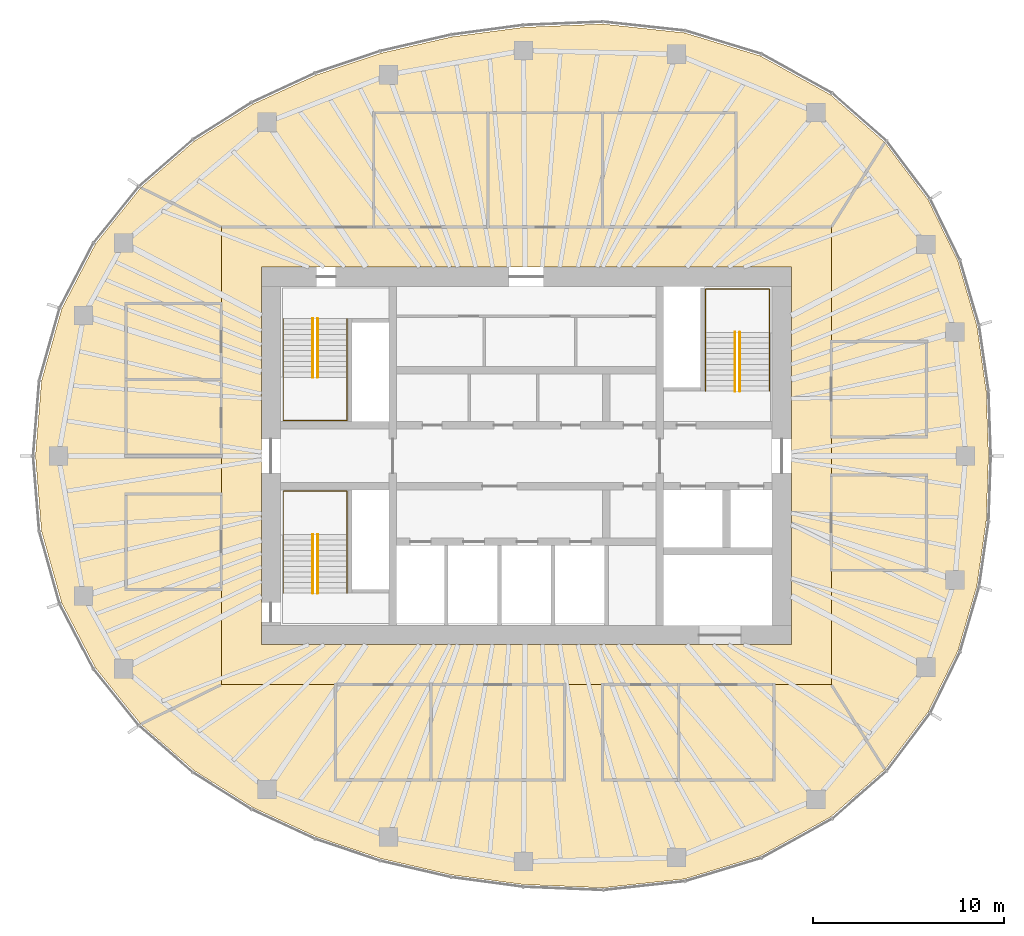
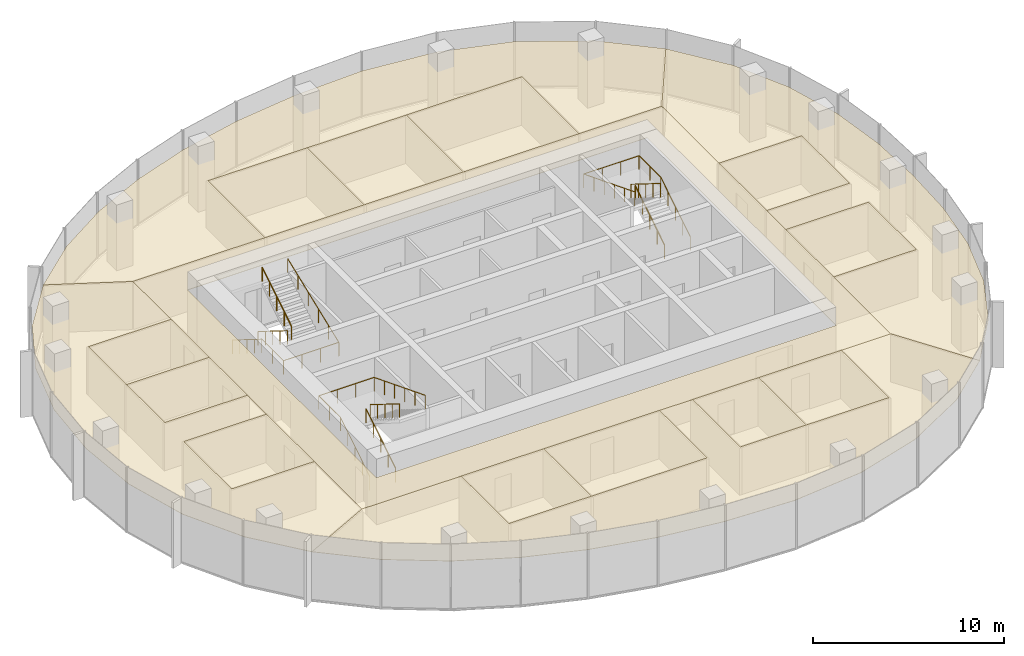
# One storey, part 11 of 11: 17 coverings, 9 railings.
"""IFC4 building model written with IfcOpenShell, lengths in metres."""

import ifcopenshell
import ifcopenshell.guid

model = None  # the IFC model being written
_history = None  # IfcOwnerHistory: only IFC2X3 demands one
_inside = {}  # id of a spatial element -> (the spatial element, [elements in it])
_under = {}  # id of a project, library or spatial element -> (it, [spatial elements below it])
_declared = {}  # id of a project -> (the project, [libraries it declares])
_typed = {}  # id of a type object -> (the type object, [elements of that type])
_made_of = {}  # id of a material, layer set ... -> (it, [elements and type objects made of it])


def new_model(schema):
    """Start an empty IFC model of exactly this schema.

    Asked for "IFC4X3", IfcOpenShell would pick the latest addendum, in which some entities
    have other attributes; the version numbers below select the first issue.
    IFC2X3 requires an IfcOwnerHistory on every rooted entity: one is made here for all.
    """
    global model, _history
    if schema == "IFC4X3":
        model = ifcopenshell.file(schema_version=(4, 3, 0, 0))
    else:
        model = ifcopenshell.file(schema=schema)
    _inside.clear()
    _under.clear()
    _declared.clear()
    _typed.clear()
    _made_of.clear()
    _history = None
    if model.schema == "IFC2X3":
        org = make("IfcOrganization", Name="unknown")
        user = make(
            "IfcPersonAndOrganization",
            ThePerson=make("IfcPerson", FamilyName="unknown"),
            TheOrganization=org,
        )
        app = make(
            "IfcApplication",
            ApplicationDeveloper=org,
            Version="unknown",
            ApplicationFullName="unknown",
            ApplicationIdentifier="unknown",
        )
        _history = make(
            "IfcOwnerHistory",
            OwningUser=user,
            OwningApplication=app,
            ChangeAction="ADDED",
            CreationDate=0,
        )
    return model


def make(cls, **values):
    """One entity of the class cls with the attributes given. An attribute that is None is left unset."""
    return model.create_entity(
        cls, **{name: value for name, value in values.items() if value is not None}
    )


def rooted(cls, **values):
    """An entity with a GlobalId (a new one), such as an element, a storey or a relation."""
    return make(cls, GlobalId=ifcopenshell.guid.new(), OwnerHistory=_history, **values)


def si_unit(unit_type, name, prefix=None):
    """IfcSIUnit, for example si_unit("LENGTHUNIT", "METRE", prefix="MILLI")."""
    return make("IfcSIUnit", UnitType=unit_type, Prefix=prefix, Name=name)


def assignment(units):
    """IfcUnitAssignment: the units of a project."""
    return None if units is None else make("IfcUnitAssignment", Units=units)


def point(xyz):
    """IfcCartesianPoint."""
    return None if xyz is None else make("IfcCartesianPoint", Coordinates=xyz)


def direction(xyz):
    """IfcDirection."""
    return None if xyz is None else make("IfcDirection", DirectionRatios=xyz)


def frame(location, z_axis=None, x_axis=None):
    """IfcAxis2Placement3D, a coordinate frame: its origin and axes. An axis left out is left unset."""
    return make(
        "IfcAxis2Placement3D",
        Location=point(location),
        Axis=direction(z_axis),
        RefDirection=direction(x_axis),
    )


def frame_2d(location, x_axis=None):
    """IfcAxis2Placement2D, a coordinate frame in the plane: its origin and x axis."""
    return make(
        "IfcAxis2Placement2D", Location=point(location), RefDirection=direction(x_axis)
    )


def origin():
    """The frame at (0, 0, 0) with its axes left unset."""
    return frame((0.0, 0.0, 0.0))


def origin_2d():
    """The frame at (0, 0) in the plane with its x axis left unset."""
    return frame_2d((0.0, 0.0))


def place(relative_to, where):
    """IfcLocalPlacement: puts the frame where relative to a parent placement (None: the world)."""
    return make(
        "IfcLocalPlacement", PlacementRelTo=relative_to, RelativePlacement=where
    )


def context(
    kind, dimensions, precision=None, world=None, true_north=None, identifier=None
):
    """IfcGeometricRepresentationContext, for example the 3D "Model" context."""
    return make(
        "IfcGeometricRepresentationContext",
        ContextIdentifier=identifier,
        ContextType=kind,
        CoordinateSpaceDimension=dimensions,
        Precision=precision,
        WorldCoordinateSystem=world,
        TrueNorth=true_north,
    )


def subcontext(parent, identifier, kind, view, scale=None):
    """IfcGeometricRepresentationSubContext, for example "Body" below "Model"."""
    return make(
        "IfcGeometricRepresentationSubContext",
        ContextIdentifier=identifier,
        ContextType=kind,
        ParentContext=parent,
        TargetScale=scale,
        TargetView=view,
    )


def project(units=None, contexts=None):
    """IfcProject with its units and contexts."""
    return rooted(
        "IfcProject",
        Name="project",
        RepresentationContexts=contexts,
        UnitsInContext=assignment(units),
    )


def spatial(cls, under=None, at=None, **own):
    """A site, building, storey or space (cls), placed at a placement, below another one or the project."""
    s = rooted(cls, ObjectPlacement=at, **own)
    if under is not None:
        _under.setdefault(under.id(), (under, []))[1].append(s)
    return s


def polyline(points):
    """IfcPolyline through the points."""
    return make("IfcPolyline", Points=[point(p) for p in points])


def profile(cls, at=None, kind="AREA", **sizes):
    """A parametric profile (cls). Its sizes go by their IFC names, for example OverallWidth=200.0."""
    return make(cls, ProfileType=kind, Position=at, **sizes)


def circle(**sizes):
    """IfcCircleProfileDef."""
    return profile("IfcCircleProfileDef", **sizes)


def outline(outer, holes=None, kind="AREA"):
    """IfcArbitraryClosedProfileDef: a profile drawn as a closed curve; with holes, ...WithVoids."""
    if holes is None:
        return make("IfcArbitraryClosedProfileDef", ProfileType=kind, OuterCurve=outer)
    return make(
        "IfcArbitraryProfileDefWithVoids",
        ProfileType=kind,
        OuterCurve=outer,
        InnerCurves=holes,
    )


def extrude(swept, where, along, depth):
    """IfcExtrudedAreaSolid: the profile swept, set in the frame where, extruded along a direction by depth."""
    return make(
        "IfcExtrudedAreaSolid",
        SweptArea=swept,
        Position=where,
        ExtrudedDirection=direction(along),
        Depth=depth,
    )


def shape(context_of_items, identifier, shape_type, items):
    """IfcShapeRepresentation: the items that make up one representation, for example the "Body"."""
    return make(
        "IfcShapeRepresentation",
        ContextOfItems=context_of_items,
        RepresentationIdentifier=identifier,
        RepresentationType=shape_type,
        Items=items,
    )


def material(Name=None, Category=None):
    """IfcMaterial."""
    return make("IfcMaterial", Name=Name, Category=Category)


def layer(
    of_material, thickness, ventilated=None, Name=None, Category=None, Priority=None
):
    """IfcMaterialLayer: one layer of a wall or slab, of a material (None: an air gap)."""
    return make(
        "IfcMaterialLayer",
        Material=of_material,
        LayerThickness=thickness,
        IsVentilated=ventilated,
        Name=Name,
        Category=Category,
        Priority=Priority,
    )


def layer_set(layers, Name=None):
    """IfcMaterialLayerSet."""
    return make("IfcMaterialLayerSet", MaterialLayers=layers, LayerSetName=Name)


def made_of(thing, what):
    """Note that an element or type object is made of a material, layer set ...; save() writes the relation."""
    if what is not None:
        _made_of.setdefault(what.id(), (what, []))[1].append(thing)
    return thing


def type_object(cls, material=None, **own):
    """A type object (cls), such as IfcWallType, which elements share."""
    return made_of(rooted(cls, **own), material)


def element(
    cls,
    number,
    at=None,
    inside=None,
    cuts=None,
    type_object=None,
    material=None,
    context=None,
    identifier="Body",
    shape_type=None,
    held_by="IfcProductDefinitionShape",
    body=None,
    shapes=None,
    **own,
):
    """One element of the class cls, such as IfcWall. Its Tag is "e" and its number.

    at: its placement. inside: the storey or other place that contains it. cuts: it is an
    opening in that element (IfcRelVoidsElement). A single representation is given by context,
    identifier, shape_type and body (its items); several are given by shapes. held_by: the class
    of the entity that holds the representations. save() writes the other relations.
    """
    e = rooted(cls, Tag="e%d" % number, ObjectPlacement=at, **own)
    if body is not None:
        shapes = [shape(context, identifier, shape_type, body)]
    if shapes is not None:
        e.Representation = make(held_by, Representations=shapes)
    if inside is not None:
        _inside.setdefault(inside.id(), (inside, []))[1].append(e)
    if cuts is not None:
        rooted(
            "IfcRelVoidsElement", RelatingBuildingElement=cuts, RelatedOpeningElement=e
        )
    if type_object is not None:
        _typed.setdefault(type_object.id(), (type_object, []))[1].append(e)
    return made_of(e, material)


def aggregate(whole, parts):
    """IfcRelAggregates: a whole, such as a stair, and the parts it consists of."""
    return rooted("IfcRelAggregates", RelatingObject=whole, RelatedObjects=parts)


def save(model, path):
    """Write the relations noted so far, then the file.

    IfcRelAggregates (storeys below a building ...), IfcRelContainedInSpatialStructure (elements
    in a storey), IfcRelDefinesByType, IfcRelAssociatesMaterial and IfcRelDeclares: one each for
    every whole, place, type object, material and project.
    """
    for whole, parts in _under.values():
        aggregate(whole, parts)
    for where, things in _inside.values():
        rooted(
            "IfcRelContainedInSpatialStructure",
            RelatedElements=things,
            RelatingStructure=where,
        )
    for kind, things in _typed.values():
        rooted("IfcRelDefinesByType", RelatedObjects=things, RelatingType=kind)
    for what, things in _made_of.values():
        rooted("IfcRelAssociatesMaterial", RelatedObjects=things, RelatingMaterial=what)
    for by, libraries in _declared.values():
        rooted("IfcRelDeclares", RelatingContext=by, RelatedDefinitions=libraries)
    model.write(path)


model = new_model("IFC4")

# Units and contexts
model_context = context("Model", 3, precision=1e-05, world=origin(), true_north=direction((0.0, 1.0)))
body_context = subcontext(model_context, "Body", "Model", "MODEL_VIEW")
ifc_project = project(units=[si_unit("LENGTHUNIT", "METRE"), si_unit("AREAUNIT", "SQUARE_METRE"), si_unit("VOLUMEUNIT", "CUBIC_METRE"), si_unit("PLANEANGLEUNIT", "RADIAN"), si_unit("MASSUNIT", "GRAM", prefix="KILO")], contexts=[model_context])

# Site, building, storey
site_placement = place(None, origin())
site = spatial("IfcSite", under=ifc_project, at=site_placement, CompositionType="ELEMENT")
building_placement = place(site_placement, origin())
building = spatial("IfcBuilding", under=site, at=building_placement, Name="Ghaith Harvest Tower", CompositionType="ELEMENT")
storey_placement = place(building_placement, frame((0.0, 0.0, 321.60009765625)))
storey = spatial("IfcBuildingStorey", under=building, at=storey_placement, Name="L72", CompositionType="ELEMENT", Elevation=321.60009765625)

# Coverings
ifc_material_1 = material(Name="Mineral fibre ceiling tile", Category="gypsum")
ifc_layer = layer(ifc_material_1, 0.02490234375)
ifc_layer_set = layer_set([ifc_layer], Name="CEILING C2")
covering_type = type_object("IfcCoveringType", Name="CEILING C2", PredefinedType="CEILING", material=ifc_layer_set)
covering_1_placement = place(storey_placement, frame((0.0, 0.0, 3.0)))
element("IfcCovering", 1, at=covering_1_placement, inside=storey, type_object=covering_type, Name="Ceiling L72-01", PredefinedType="CEILING", context=body_context, shape_type="SweptSolid", body=[
    extrude(outline(polyline([(-8.0, 12.0), (-2.0, 12.0), (-2.0, 18.0), (-8.0, 18.0), (-8.0, 12.0)])), origin(), (0.0, 0.0, 1.0), 0.02490234375),
])
covering_2_placement = place(storey_placement, frame((0.0, 0.0, 3.0)))
element("IfcCovering", 2, at=covering_2_placement, inside=storey, type_object=covering_type, Name="Ceiling L72-02", PredefinedType="CEILING", context=body_context, shape_type="SweptSolid", body=[
    extrude(outline(polyline([(-2.0, 12.0), (4.0, 12.0), (4.0, 18.0), (-2.0, 18.0), (-2.0, 12.0)])), origin(), (0.0, 0.0, 1.0), 0.02490234375),
])
covering_3_placement = place(storey_placement, frame((0.0, 0.0, 3.0)))
element("IfcCovering", 3, at=covering_3_placement, inside=storey, type_object=covering_type, Name="Ceiling L72-03", PredefinedType="CEILING", context=body_context, shape_type="SweptSolid", body=[
    extrude(outline(polyline([(4.0, 12.0), (11.0, 12.0), (11.0, 18.0), (4.0, 18.0), (4.0, 12.0)])), origin(), (0.0, 0.0, 1.0), 0.02490234375),
])
covering_4_placement = place(storey_placement, frame((0.0, 0.0, 3.0)))
element("IfcCovering", 4, at=covering_4_placement, inside=storey, type_object=covering_type, Name="Ceiling L72-04", PredefinedType="CEILING", context=body_context, shape_type="SweptSolid", body=[
    extrude(outline(polyline([(-10.0, -17.0), (-5.0, -17.0), (-5.0, -12.0), (-10.0, -12.0), (-10.0, -17.0)])), origin(), (0.0, 0.0, 1.0), 0.02490234375),
])
covering_5_placement = place(storey_placement, frame((0.0, 0.0, 3.0)))
element("IfcCovering", 5, at=covering_5_placement, inside=storey, type_object=covering_type, Name="Ceiling L72-05", PredefinedType="CEILING", context=body_context, shape_type="SweptSolid", body=[
    extrude(outline(polyline([(-5.0, -17.0), (2.0, -17.0), (2.0, -12.0), (-5.0, -12.0), (-5.0, -17.0)])), origin(), (0.0, 0.0, 1.0), 0.02490234375),
])
covering_6_placement = place(storey_placement, frame((0.0, 0.0, 3.0)))
element("IfcCovering", 6, at=covering_6_placement, inside=storey, type_object=covering_type, Name="Ceiling L72-06", PredefinedType="CEILING", context=body_context, shape_type="SweptSolid", body=[
    extrude(outline(polyline([(4.0, -17.0), (8.0, -17.0), (8.0, -12.0), (4.0, -12.0), (4.0, -17.0)])), origin(), (0.0, 0.0, 1.0), 0.02490234375),
])
covering_7_placement = place(storey_placement, frame((0.0, 0.0, 3.0)))
element("IfcCovering", 7, at=covering_7_placement, inside=storey, type_object=covering_type, Name="Ceiling L72-07", PredefinedType="CEILING", context=body_context, shape_type="SweptSolid", body=[
    extrude(outline(polyline([(8.0, -17.0), (13.0, -17.0), (13.0, -12.0), (8.0, -12.0), (8.0, -17.0)])), origin(), (0.0, 0.0, 1.0), 0.02490234375),
])
covering_8_placement = place(storey_placement, frame((0.0, 0.0, 3.0)))
element("IfcCovering", 8, at=covering_8_placement, inside=storey, type_object=covering_type, Name="Ceiling L72-08", PredefinedType="CEILING", context=body_context, shape_type="SweptSolid", body=[
    extrude(outline(polyline([(-21.0, -7.0), (-16.0, -7.0), (-16.0, -2.0), (-21.0, -2.0), (-21.0, -7.0)])), origin(), (0.0, 0.0, 1.0), 0.02490234375),
])
covering_9_placement = place(storey_placement, frame((0.0, 0.0, 3.0)))
element("IfcCovering", 9, at=covering_9_placement, inside=storey, type_object=covering_type, Name="Ceiling L72-09", PredefinedType="CEILING", context=body_context, shape_type="SweptSolid", body=[
    extrude(outline(polyline([(16.0, -6.0), (21.0, -6.0), (21.0, -1.0), (16.0, -1.0), (16.0, -6.0)])), origin(), (0.0, 0.0, 1.0), 0.02490234375),
])
covering_10_placement = place(storey_placement, frame((0.0, 0.0, 3.0)))
element("IfcCovering", 10, at=covering_10_placement, inside=storey, type_object=covering_type, Name="Ceiling L72-10", PredefinedType="CEILING", context=body_context, shape_type="SweptSolid", body=[
    extrude(outline(polyline([(16.0, 1.0), (21.0, 1.0), (21.0, 6.0), (16.0, 6.0), (16.0, 1.0)])), origin(), (0.0, 0.0, 1.0), 0.02490234375),
])
covering_11_placement = place(storey_placement, frame((0.0, 0.0, 3.0)))
element("IfcCovering", 11, at=covering_11_placement, inside=storey, type_object=covering_type, Name="Ceiling L72-11", PredefinedType="CEILING", context=body_context, shape_type="SweptSolid", body=[
    extrude(outline(polyline([(-21.0, 0.0), (-16.0, 0.0), (-16.0, 4.0), (-21.0, 4.0), (-21.0, 0.0)])), origin(), (0.0, 0.0, 1.0), 0.02490234375),
])
covering_12_placement = place(storey_placement, frame((0.0, 0.0, 3.0)))
element("IfcCovering", 12, at=covering_12_placement, inside=storey, type_object=covering_type, Name="Ceiling L72-12", PredefinedType="CEILING", context=body_context, shape_type="SweptSolid", body=[
    extrude(outline(polyline([(-21.0, 4.0), (-16.0, 4.0), (-16.0, 8.0), (-21.0, 8.0), (-21.0, 4.0)])), origin(), (0.0, 0.0, 1.0), 0.02490234375),
])
covering_13_placement = place(storey_placement, frame((0.0, 0.0, 3.0)))
element("IfcCovering", 13, at=covering_13_placement, inside=storey, type_object=covering_type, Name="Ceiling L72-C1", PredefinedType="CEILING", context=body_context, shape_type="SweptSolid", body=[
    extrude(outline(polyline([(-16.0, 12.0), (16.0, 12.0), (16.0, -12.0), (-16.0, -12.0), (-16.0, 12.0)]), holes=[polyline([(13.89990234375, 9.89990234375), (-13.89990234375, 9.89990234375), (-13.89990234375, -9.89990234375), (13.89990234375, -9.89990234375), (13.89990234375, 9.89990234375)])]), origin(), (0.0, 0.0, 1.0), 0.02490234375),
])
covering_14_placement = place(storey_placement, frame((0.0, 0.0, 3.0)))
element("IfcCovering", 14, at=covering_14_placement, inside=storey, type_object=covering_type, Name="Ceiling L72-N1", PredefinedType="CEILING", context=body_context, shape_type="SweptSolid", body=[
    extrude(outline(polyline([(-17.40771484375, 16.518310546875), (-14.331298828125, 18.452880859375), (-11.009521484375, 19.98779296875), (-7.6298828125, 21.12548828125), (-3.92529296875, 21.98046875), (-0.15380859375, 22.486083984375), (4.016845703125, 22.658447265625), (8.2978515625, 22.1962890625), (12.273681640625, 20.98828125), (15.971923828125, 18.940185546875), (18.810791015625, 16.4482421875), (16.0, 12.0), (11.0, 12.0), (11.0, 18.0), (-8.0, 18.0), (-8.0, 12.0), (-16.0, 12.0), (-20.225830078125, 14.0732421875), (-17.40771484375, 16.518310546875)])), origin(), (0.0, 0.0, 1.0), 0.02490234375),
])
covering_15_placement = place(storey_placement, frame((0.0, 0.0, 3.0)))
element("IfcCovering", 15, at=covering_15_placement, inside=storey, type_object=covering_type, Name="Ceiling L72-E1", PredefinedType="CEILING", context=body_context, shape_type="SweptSolid", body=[
    extrude(outline(polyline([(21.087890625, 13.42041015625), (22.644775390625, 10.222900390625), (23.6376953125, 6.831787109375), (24.129150390625, 3.4169921875), (24.25, 0.0), (24.129150390625, -3.4169921875), (23.6376953125, -6.831787109375), (22.644775390625, -10.222900390625), (21.087890625, -13.42041015625), (18.810791015625, -16.4482421875), (16.0, -12.0), (16.0, -6.0), (21.0, -6.0), (21.0, -1.0), (16.0, -1.0), (16.0, 1.0), (21.0, 1.0), (21.0, 6.0), (16.0, 6.0), (16.0, 12.0), (18.810791015625, 16.4482421875), (21.087890625, 13.42041015625)])), origin(), (0.0, 0.0, 1.0), 0.02490234375),
])
covering_16_placement = place(storey_placement, frame((0.0, 0.0, 3.0)))
element("IfcCovering", 16, at=covering_16_placement, inside=storey, type_object=covering_type, Name="Ceiling L72-S1", PredefinedType="CEILING", context=body_context, shape_type="SweptSolid", body=[
    extrude(outline(polyline([(-17.40771484375, -16.518310546875), (-20.225830078125, -14.0732421875), (-16.0, -12.0), (-10.0, -12.0), (-10.0, -17.0), (2.0, -17.0), (2.0, -12.0), (4.0, -12.0), (4.0, -17.0), (13.0, -17.0), (13.0, -12.0), (16.0, -12.0), (18.810791015625, -16.4482421875), (15.971923828125, -18.940185546875), (12.273681640625, -20.98828125), (8.2978515625, -22.1962890625), (4.016845703125, -22.658447265625), (-0.15380859375, -22.486083984375), (-3.92529296875, -21.98046875), (-7.6298828125, -21.12548828125), (-11.009521484375, -19.98779296875), (-14.331298828125, -18.452880859375), (-17.40771484375, -16.518310546875)])), origin(), (0.0, 0.0, 1.0), 0.02490234375),
])
covering_17_placement = place(storey_placement, frame((0.0, 0.0, 3.0)))
element("IfcCovering", 17, at=covering_17_placement, inside=storey, type_object=covering_type, Name="Ceiling L72-W1", PredefinedType="CEILING", context=body_context, shape_type="SweptSolid", body=[
    extrude(outline(polyline([(-22.5986328125, -11.12353515625), (-24.368408203125, -7.722900390625), (-25.43310546875, -3.93359375), (-25.75, 0.0), (-25.43310546875, 3.93359375), (-24.368408203125, 7.722900390625), (-22.5986328125, 11.12353515625), (-20.225830078125, 14.0732421875), (-16.0, 12.0), (-16.0, 8.0), (-21.0, 8.0), (-21.0, 0.0), (-16.0, 0.0), (-16.0, -2.0), (-21.0, -2.0), (-21.0, -7.0), (-16.0, -7.0), (-16.0, -12.0), (-20.225830078125, -14.0732421875), (-22.5986328125, -11.12353515625)])), origin(), (0.0, 0.0, 1.0), 0.02490234375),
])

# Railings
ifc_material_2 = material(Name="Steel, black powder-coated", Category="steel")
railing_type = type_object("IfcRailingType", Name="HANDRAIL HR1", PredefinedType="HANDRAIL", material=ifc_material_2)
railing_1_placement = place(storey_placement, frame((-11.199951171875, 7.199951171875, 0.1748046875)))
element("IfcRailing", 18, at=railing_1_placement, inside=storey, type_object=railing_type, Name="Handrail HR1 stair ST1 L72 flight 1 inner", PredefinedType="HANDRAIL", context=body_context, shape_type="SweptSolid", body=[
    extrude(circle(Radius=0.02392578125, at=origin_2d()), frame((0.0, 0.0, 0.8759765625), z_axis=(0.0, -0.847979421464, 0.530029150871), x_axis=(1.0, 0.0, 0.0)), (0.0, 0.0, 1.0), 3.632080078125),
    extrude(circle(Radius=0.02099609375, at=origin_2d()), origin(), (0.0, 0.0, 1.0), 0.851806640625),
    extrude(circle(Radius=0.02099609375, at=origin_2d()), frame((0.0, -0.77001953125, 0.481201171875)), (0.0, 0.0, 1.0), 0.851806640625),
    extrude(circle(Radius=0.02099609375, at=origin_2d()), frame((0.0, -1.5400390625, 0.96240234375)), (0.0, 0.0, 1.0), 0.851806640625),
    extrude(circle(Radius=0.02099609375, at=origin_2d()), frame((0.0, -2.309814453125, 1.44384765625)), (0.0, 0.0, 1.0), 0.851806640625),
    extrude(circle(Radius=0.02099609375, at=origin_2d()), frame((0.0, -3.079833984375, 1.925048828125)), (0.0, 0.0, 1.0), 0.851806640625),
])
railing_2_placement = place(storey_placement, frame((-10.949951171875, 4.1201171875, 2.27490234375)))
element("IfcRailing", 19, at=railing_2_placement, inside=storey, type_object=railing_type, Name="Handrail HR1 stair ST1 L72 flight 2 inner", PredefinedType="HANDRAIL", context=body_context, shape_type="SweptSolid", body=[
    extrude(circle(Radius=0.02392578125, at=origin_2d()), frame((0.0, 0.0, 0.8759765625), z_axis=(0.0, 0.847979421464, 0.530029150871), x_axis=(-1.0, 0.0, 0.0)), (0.0, 0.0, 1.0), 3.632080078125),
    extrude(circle(Radius=0.02099609375, at=origin_2d()), origin(), (0.0, 0.0, 1.0), 0.851806640625),
    extrude(circle(Radius=0.02099609375, at=origin_2d()), frame((0.0, 0.77001953125, 0.481201171875)), (0.0, 0.0, 1.0), 0.851806640625),
    extrude(circle(Radius=0.02099609375, at=origin_2d()), frame((0.0, 1.5400390625, 0.96240234375)), (0.0, 0.0, 1.0), 0.851806640625),
    extrude(circle(Radius=0.02099609375, at=origin_2d()), frame((0.0, 2.309814453125, 1.44384765625)), (0.0, 0.0, 1.0), 0.851806640625),
    extrude(circle(Radius=0.02099609375, at=origin_2d()), frame((0.0, 3.079833984375, 1.925048828125)), (0.0, 0.0, 1.0), 0.851806640625),
])
railing_3_placement = place(storey_placement, frame((-12.75, 7.199951171875, 0.1748046875)))
element("IfcRailing", 20, at=railing_3_placement, inside=storey, type_object=railing_type, Name="Handrail HR1 stair ST1 L72 wall side", PredefinedType="HANDRAIL", context=body_context, shape_type="SweptSolid", body=[
    extrude(circle(Radius=0.02392578125, at=origin_2d()), frame((0.0, 0.0, 0.8759765625), z_axis=(0.0, -0.847979421464, 0.530029150871), x_axis=(1.0, 0.0, 0.0)), (0.0, 0.0, 1.0), 3.632080078125),
    extrude(circle(Radius=0.02392578125, at=origin_2d()), frame((0.0, -3.079833984375, 2.80078125), z_axis=(0.0, -1.0, 0.0), x_axis=(1.0, 0.0, 0.0)), (0.0, 0.0, 1.0), 2.27001953125),
    extrude(circle(Radius=0.02392578125, at=origin_2d()), frame((0.0, -5.349853515625, 2.80078125), z_axis=(1.0, 0.0, 0.0), x_axis=(0.0, 1.0, 0.0)), (0.0, 0.0, 1.0), 3.35009765625),
    extrude(circle(Radius=0.02392578125, at=origin_2d()), frame((3.35009765625, -5.349853515625, 2.80078125), z_axis=(0.0, 0.930848013298, 0.36540659017), x_axis=(-1.0, 0.0, 0.0)), (0.0, 0.0, 1.0), 5.747314453125),
    extrude(circle(Radius=0.02099609375, at=origin_2d()), origin(), (0.0, 0.0, 1.0), 0.851806640625),
    extrude(circle(Radius=0.02099609375, at=origin_2d()), frame((0.0, -0.77001953125, 0.481201171875)), (0.0, 0.0, 1.0), 0.851806640625),
    extrude(circle(Radius=0.02099609375, at=origin_2d()), frame((0.0, -1.5400390625, 0.96240234375)), (0.0, 0.0, 1.0), 0.851806640625),
    extrude(circle(Radius=0.02099609375, at=origin_2d()), frame((0.0, -2.309814453125, 1.44384765625)), (0.0, 0.0, 1.0), 0.851806640625),
    extrude(circle(Radius=0.02099609375, at=origin_2d()), frame((0.0, -3.079833984375, 1.925048828125)), (0.0, 0.0, 1.0), 0.851806640625),
    extrude(circle(Radius=0.02099609375, at=origin_2d()), frame((0.0, -4.21484375, 1.925048828125)), (0.0, 0.0, 1.0), 0.851806640625),
    extrude(circle(Radius=0.02099609375, at=origin_2d()), frame((0.0, -5.349853515625, 1.925048828125)), (0.0, 0.0, 1.0), 0.851806640625),
    extrude(circle(Radius=0.02099609375, at=origin_2d()), frame((1.11669921875, -5.349853515625, 1.925048828125)), (0.0, 0.0, 1.0), 0.851806640625),
    extrude(circle(Radius=0.02099609375, at=origin_2d()), frame((2.2333984375, -5.349853515625, 1.925048828125)), (0.0, 0.0, 1.0), 0.851806640625),
    extrude(circle(Radius=0.02099609375, at=origin_2d()), frame((3.35009765625, -5.349853515625, 1.925048828125)), (0.0, 0.0, 1.0), 0.851806640625),
    extrude(circle(Radius=0.02099609375, at=origin_2d()), frame((3.35009765625, -4.27978515625, 2.344970703125)), (0.0, 0.0, 1.0), 0.851806640625),
    extrude(circle(Radius=0.02099609375, at=origin_2d()), frame((3.35009765625, -3.2099609375, 2.76513671875)), (0.0, 0.0, 1.0), 0.851806640625),
    extrude(circle(Radius=0.02099609375, at=origin_2d()), frame((3.35009765625, -2.139892578125, 3.18505859375)), (0.0, 0.0, 1.0), 0.851806640625),
    extrude(circle(Radius=0.02099609375, at=origin_2d()), frame((3.35009765625, -1.070068359375, 3.605224609375)), (0.0, 0.0, 1.0), 0.851806640625),
    extrude(circle(Radius=0.02099609375, at=origin_2d()), frame((3.35009765625, 0.0, 4.025146484375)), (0.0, 0.0, 1.0), 0.851806640625),
])
railing_4_placement = place(storey_placement, frame((-11.199951171875, -7.199951171875, 0.1748046875)))
element("IfcRailing", 21, at=railing_4_placement, inside=storey, type_object=railing_type, Name="Handrail HR1 stair ST3 L72 flight 1 inner", PredefinedType="HANDRAIL", context=body_context, shape_type="SweptSolid", body=[
    extrude(circle(Radius=0.02392578125, at=origin_2d()), frame((0.0, 0.0, 0.8759765625), z_axis=(0.0, 0.847979421464, 0.530029150871), x_axis=(-1.0, 0.0, 0.0)), (0.0, 0.0, 1.0), 3.632080078125),
    extrude(circle(Radius=0.02099609375, at=origin_2d()), origin(), (0.0, 0.0, 1.0), 0.851806640625),
    extrude(circle(Radius=0.02099609375, at=origin_2d()), frame((0.0, 0.77001953125, 0.481201171875)), (0.0, 0.0, 1.0), 0.851806640625),
    extrude(circle(Radius=0.02099609375, at=origin_2d()), frame((0.0, 1.5400390625, 0.96240234375)), (0.0, 0.0, 1.0), 0.851806640625),
    extrude(circle(Radius=0.02099609375, at=origin_2d()), frame((0.0, 2.309814453125, 1.44384765625)), (0.0, 0.0, 1.0), 0.851806640625),
    extrude(circle(Radius=0.02099609375, at=origin_2d()), frame((0.0, 3.079833984375, 1.925048828125)), (0.0, 0.0, 1.0), 0.851806640625),
])
railing_5_placement = place(storey_placement, frame((-10.949951171875, -4.1201171875, 2.27490234375)))
element("IfcRailing", 22, at=railing_5_placement, inside=storey, type_object=railing_type, Name="Handrail HR1 stair ST3 L72 flight 2 inner", PredefinedType="HANDRAIL", context=body_context, shape_type="SweptSolid", body=[
    extrude(circle(Radius=0.02392578125, at=origin_2d()), frame((0.0, 0.0, 0.8759765625), z_axis=(0.0, -0.847979421464, 0.530029150871), x_axis=(1.0, 0.0, 0.0)), (0.0, 0.0, 1.0), 3.632080078125),
    extrude(circle(Radius=0.02099609375, at=origin_2d()), origin(), (0.0, 0.0, 1.0), 0.851806640625),
    extrude(circle(Radius=0.02099609375, at=origin_2d()), frame((0.0, -0.77001953125, 0.481201171875)), (0.0, 0.0, 1.0), 0.851806640625),
    extrude(circle(Radius=0.02099609375, at=origin_2d()), frame((0.0, -1.5400390625, 0.96240234375)), (0.0, 0.0, 1.0), 0.851806640625),
    extrude(circle(Radius=0.02099609375, at=origin_2d()), frame((0.0, -2.309814453125, 1.44384765625)), (0.0, 0.0, 1.0), 0.851806640625),
    extrude(circle(Radius=0.02099609375, at=origin_2d()), frame((0.0, -3.079833984375, 1.925048828125)), (0.0, 0.0, 1.0), 0.851806640625),
])
railing_6_placement = place(storey_placement, frame((-12.75, -7.199951171875, 0.1748046875)))
element("IfcRailing", 23, at=railing_6_placement, inside=storey, type_object=railing_type, Name="Handrail HR1 stair ST3 L72 wall side", PredefinedType="HANDRAIL", context=body_context, shape_type="SweptSolid", body=[
    extrude(circle(Radius=0.02392578125, at=origin_2d()), frame((0.0, 0.0, 0.8759765625), z_axis=(0.0, 0.847979421464, 0.530029150871), x_axis=(-1.0, 0.0, 0.0)), (0.0, 0.0, 1.0), 3.632080078125),
    extrude(circle(Radius=0.02392578125, at=origin_2d()), frame((0.0, 3.079833984375, 2.80078125), z_axis=(0.0, 1.0, 0.0), x_axis=(-1.0, 0.0, 0.0)), (0.0, 0.0, 1.0), 2.27001953125),
    extrude(circle(Radius=0.02392578125, at=origin_2d()), frame((0.0, 5.349853515625, 2.80078125), z_axis=(1.0, 0.0, 0.0), x_axis=(0.0, 1.0, 0.0)), (0.0, 0.0, 1.0), 3.35009765625),
    extrude(circle(Radius=0.02392578125, at=origin_2d()), frame((3.35009765625, 5.349853515625, 2.80078125), z_axis=(0.0, -0.930848013298, 0.36540659017), x_axis=(1.0, 0.0, 0.0)), (0.0, 0.0, 1.0), 5.747314453125),
    extrude(circle(Radius=0.02099609375, at=origin_2d()), origin(), (0.0, 0.0, 1.0), 0.851806640625),
    extrude(circle(Radius=0.02099609375, at=origin_2d()), frame((0.0, 0.77001953125, 0.481201171875)), (0.0, 0.0, 1.0), 0.851806640625),
    extrude(circle(Radius=0.02099609375, at=origin_2d()), frame((0.0, 1.5400390625, 0.96240234375)), (0.0, 0.0, 1.0), 0.851806640625),
    extrude(circle(Radius=0.02099609375, at=origin_2d()), frame((0.0, 2.309814453125, 1.44384765625)), (0.0, 0.0, 1.0), 0.851806640625),
    extrude(circle(Radius=0.02099609375, at=origin_2d()), frame((0.0, 3.079833984375, 1.925048828125)), (0.0, 0.0, 1.0), 0.851806640625),
    extrude(circle(Radius=0.02099609375, at=origin_2d()), frame((0.0, 4.21484375, 1.925048828125)), (0.0, 0.0, 1.0), 0.851806640625),
    extrude(circle(Radius=0.02099609375, at=origin_2d()), frame((0.0, 5.349853515625, 1.925048828125)), (0.0, 0.0, 1.0), 0.851806640625),
    extrude(circle(Radius=0.02099609375, at=origin_2d()), frame((1.11669921875, 5.349853515625, 1.925048828125)), (0.0, 0.0, 1.0), 0.851806640625),
    extrude(circle(Radius=0.02099609375, at=origin_2d()), frame((2.2333984375, 5.349853515625, 1.925048828125)), (0.0, 0.0, 1.0), 0.851806640625),
    extrude(circle(Radius=0.02099609375, at=origin_2d()), frame((3.35009765625, 5.349853515625, 1.925048828125)), (0.0, 0.0, 1.0), 0.851806640625),
    extrude(circle(Radius=0.02099609375, at=origin_2d()), frame((3.35009765625, 4.27978515625, 2.344970703125)), (0.0, 0.0, 1.0), 0.851806640625),
    extrude(circle(Radius=0.02099609375, at=origin_2d()), frame((3.35009765625, 3.2099609375, 2.76513671875)), (0.0, 0.0, 1.0), 0.851806640625),
    extrude(circle(Radius=0.02099609375, at=origin_2d()), frame((3.35009765625, 2.139892578125, 3.18505859375)), (0.0, 0.0, 1.0), 0.851806640625),
    extrude(circle(Radius=0.02099609375, at=origin_2d()), frame((3.35009765625, 1.070068359375, 3.605224609375)), (0.0, 0.0, 1.0), 0.851806640625),
    extrude(circle(Radius=0.02099609375, at=origin_2d()), frame((3.35009765625, 0.0, 4.025146484375)), (0.0, 0.0, 1.0), 0.851806640625),
])
railing_7_placement = place(storey_placement, frame((11.199951171875, 3.39990234375, 0.1748046875)))
element("IfcRailing", 24, at=railing_7_placement, inside=storey, type_object=railing_type, Name="Handrail HR1 stair ST2 L72 flight 1 inner", PredefinedType="HANDRAIL", context=body_context, shape_type="SweptSolid", body=[
    extrude(circle(Radius=0.02392578125, at=origin_2d()), frame((0.0, 0.0, 0.8759765625), z_axis=(0.0, 0.847998304005, 0.529998940003), x_axis=(-1.0, 0.0, 0.0)), (0.0, 0.0, 1.0), 3.632080078125),
    extrude(circle(Radius=0.02099609375, at=origin_2d()), origin(), (0.0, 0.0, 1.0), 0.851806640625),
    extrude(circle(Radius=0.02099609375, at=origin_2d()), frame((0.0, 0.77001953125, 0.481201171875)), (0.0, 0.0, 1.0), 0.851806640625),
    extrude(circle(Radius=0.02099609375, at=origin_2d()), frame((0.0, 1.5400390625, 0.96240234375)), (0.0, 0.0, 1.0), 0.851806640625),
    extrude(circle(Radius=0.02099609375, at=origin_2d()), frame((0.0, 2.31005859375, 1.44384765625)), (0.0, 0.0, 1.0), 0.851806640625),
    extrude(circle(Radius=0.02099609375, at=origin_2d()), frame((0.0, 3.080078125, 1.925048828125)), (0.0, 0.0, 1.0), 0.851806640625),
])
railing_8_placement = place(storey_placement, frame((10.949951171875, 6.47998046875, 2.27490234375)))
element("IfcRailing", 25, at=railing_8_placement, inside=storey, type_object=railing_type, Name="Handrail HR1 stair ST2 L72 flight 2 inner", PredefinedType="HANDRAIL", context=body_context, shape_type="SweptSolid", body=[
    extrude(circle(Radius=0.02392578125, at=origin_2d()), frame((0.0, 0.0, 0.8759765625), z_axis=(0.0, -0.847998304005, 0.529998940003), x_axis=(1.0, 0.0, 0.0)), (0.0, 0.0, 1.0), 3.632080078125),
    extrude(circle(Radius=0.02099609375, at=origin_2d()), origin(), (0.0, 0.0, 1.0), 0.851806640625),
    extrude(circle(Radius=0.02099609375, at=origin_2d()), frame((0.0, -0.77001953125, 0.481201171875)), (0.0, 0.0, 1.0), 0.851806640625),
    extrude(circle(Radius=0.02099609375, at=origin_2d()), frame((0.0, -1.5400390625, 0.96240234375)), (0.0, 0.0, 1.0), 0.851806640625),
    extrude(circle(Radius=0.02099609375, at=origin_2d()), frame((0.0, -2.31005859375, 1.44384765625)), (0.0, 0.0, 1.0), 0.851806640625),
    extrude(circle(Radius=0.02099609375, at=origin_2d()), frame((0.0, -3.080078125, 1.925048828125)), (0.0, 0.0, 1.0), 0.851806640625),
])
railing_9_placement = place(storey_placement, frame((12.75, 3.39990234375, 0.1748046875)))
element("IfcRailing", 26, at=railing_9_placement, inside=storey, type_object=railing_type, Name="Handrail HR1 stair ST2 L72 wall side", PredefinedType="HANDRAIL", context=body_context, shape_type="SweptSolid", body=[
    extrude(circle(Radius=0.02392578125, at=origin_2d()), frame((0.0, 0.0, 0.8759765625), z_axis=(0.0, 0.847998304005, 0.529998940003), x_axis=(-1.0, 0.0, 0.0)), (0.0, 0.0, 1.0), 3.632080078125),
    extrude(circle(Radius=0.02392578125, at=origin_2d()), frame((0.0, 3.080078125, 2.80078125), z_axis=(0.0, 1.0, 0.0), x_axis=(-1.0, 0.0, 0.0)), (0.0, 0.0, 1.0), 2.27001953125),
    extrude(circle(Radius=0.02392578125, at=origin_2d()), frame((0.0, 5.35009765625, 2.80078125), z_axis=(-1.0, 0.0, 0.0), x_axis=(0.0, -1.0, 0.0)), (0.0, 0.0, 1.0), 3.35009765625),
    extrude(circle(Radius=0.02392578125, at=origin_2d()), frame((-3.35009765625, 5.35009765625, 2.80078125), z_axis=(0.0, -0.930853684876, 0.365392141887), x_axis=(1.0, 0.0, 0.0)), (0.0, 0.0, 1.0), 5.74755859375),
    extrude(circle(Radius=0.02099609375, at=origin_2d()), origin(), (0.0, 0.0, 1.0), 0.851806640625),
    extrude(circle(Radius=0.02099609375, at=origin_2d()), frame((0.0, 0.77001953125, 0.481201171875)), (0.0, 0.0, 1.0), 0.851806640625),
    extrude(circle(Radius=0.02099609375, at=origin_2d()), frame((0.0, 1.5400390625, 0.96240234375)), (0.0, 0.0, 1.0), 0.851806640625),
    extrude(circle(Radius=0.02099609375, at=origin_2d()), frame((0.0, 2.31005859375, 1.44384765625)), (0.0, 0.0, 1.0), 0.851806640625),
    extrude(circle(Radius=0.02099609375, at=origin_2d()), frame((0.0, 3.080078125, 1.925048828125)), (0.0, 0.0, 1.0), 0.851806640625),
    extrude(circle(Radius=0.02099609375, at=origin_2d()), frame((0.0, 4.215087890625, 1.925048828125)), (0.0, 0.0, 1.0), 0.851806640625),
    extrude(circle(Radius=0.02099609375, at=origin_2d()), frame((0.0, 5.35009765625, 1.925048828125)), (0.0, 0.0, 1.0), 0.851806640625),
    extrude(circle(Radius=0.02099609375, at=origin_2d()), frame((-1.11669921875, 5.35009765625, 1.925048828125)), (0.0, 0.0, 1.0), 0.851806640625),
    extrude(circle(Radius=0.02099609375, at=origin_2d()), frame((-2.2333984375, 5.35009765625, 1.925048828125)), (0.0, 0.0, 1.0), 0.851806640625),
    extrude(circle(Radius=0.02099609375, at=origin_2d()), frame((-3.35009765625, 5.35009765625, 1.925048828125)), (0.0, 0.0, 1.0), 0.851806640625),
    extrude(circle(Radius=0.02099609375, at=origin_2d()), frame((-3.35009765625, 4.280029296875, 2.344970703125)), (0.0, 0.0, 1.0), 0.851806640625),
    extrude(circle(Radius=0.02099609375, at=origin_2d()), frame((-3.35009765625, 3.2099609375, 2.76513671875)), (0.0, 0.0, 1.0), 0.851806640625),
    extrude(circle(Radius=0.02099609375, at=origin_2d()), frame((-3.35009765625, 2.14013671875, 3.18505859375)), (0.0, 0.0, 1.0), 0.851806640625),
    extrude(circle(Radius=0.02099609375, at=origin_2d()), frame((-3.35009765625, 1.070068359375, 3.605224609375)), (0.0, 0.0, 1.0), 0.851806640625),
    extrude(circle(Radius=0.02099609375, at=origin_2d()), frame((-3.35009765625, 0.0, 4.025146484375)), (0.0, 0.0, 1.0), 0.851806640625),
])

save(model, "model.ifc")
